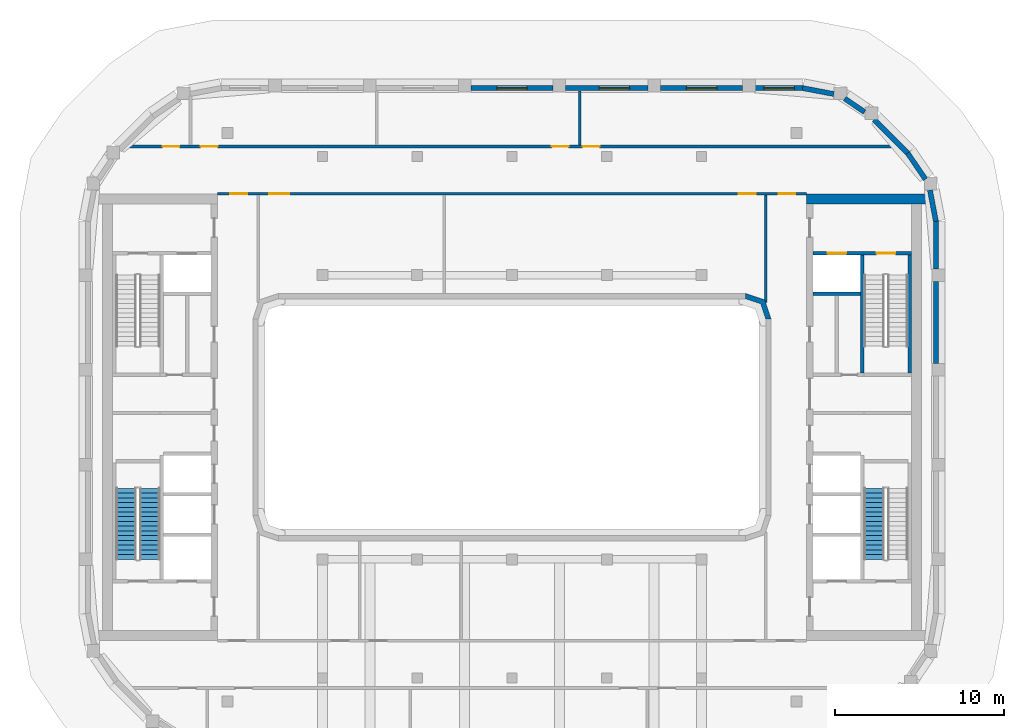
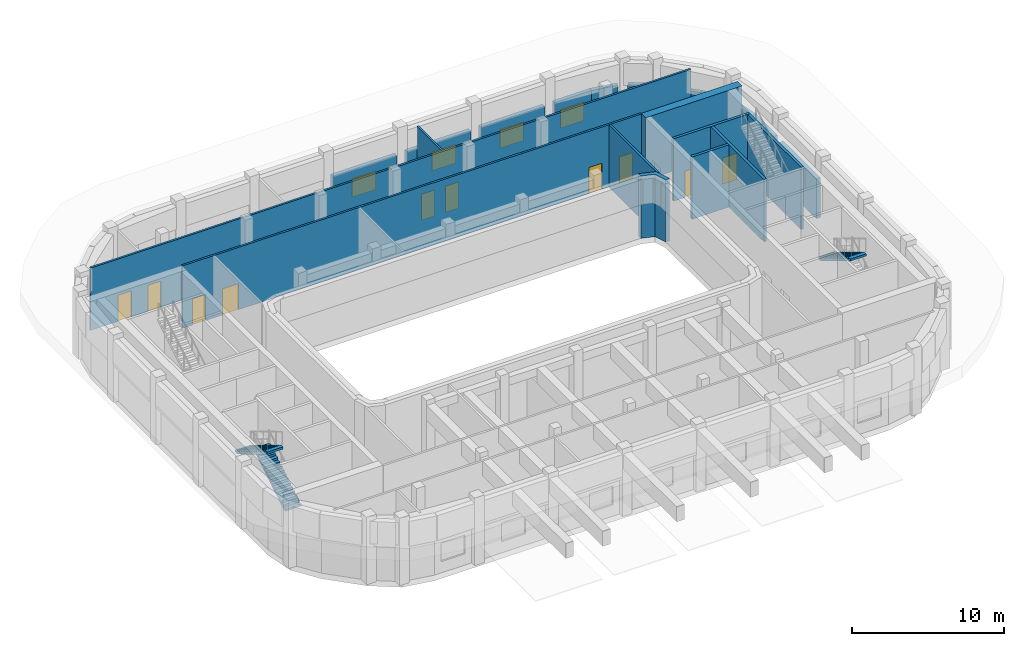
# One storey, part 9 of 17: 21 walls, 10 doors, 4 windows, 3 stair flights, 14 openings, 2 elements without a shape of their own.
"""IFC4 building model written with IfcOpenShell, lengths in metres."""

from ifc_helpers import new_model, si_unit, direction, frame, frame_2d, origin, place, context, subcontext, project, spatial, polyline, rectangle, outline, extrude, material, layer, layer_set, type_object, element, fill, aggregate, save


model = new_model("IFC4")

# Units and contexts
model_context = context("Model", 3, precision=1e-05, world=origin(), true_north=direction((0.0, 1.0)))
body_context = subcontext(model_context, "Body", "Model", "MODEL_VIEW")
ifc_project = project(units=[si_unit("LENGTHUNIT", "METRE"), si_unit("AREAUNIT", "SQUARE_METRE"), si_unit("VOLUMEUNIT", "CUBIC_METRE"), si_unit("PLANEANGLEUNIT", "RADIAN"), si_unit("MASSUNIT", "GRAM", prefix="KILO")], contexts=[model_context])

# Site, building, storey
site_placement = place(None, origin())
site = spatial("IfcSite", under=ifc_project, at=site_placement, CompositionType="ELEMENT")
building_placement = place(site_placement, origin())
building = spatial("IfcBuilding", under=site, at=building_placement, Name="Kiln Ring Residences", CompositionType="ELEMENT")
storey_placement = place(building_placement, frame((0.0, 0.0, 289.10009765625)))
storey = spatial("IfcBuildingStorey", under=building, at=storey_placement, Name="L75", CompositionType="ELEMENT", Elevation=289.10009765625)

# Walls
ifc_material_1 = material(Name="Gypsum shaft wall system")
ifc_layer_1 = layer(ifc_material_1, 0.199951171875)
ifc_layer_set_1 = layer_set([ifc_layer_1], Name="CORE-SHAFT-WALL-200")
wall_type_1 = type_object("IfcWallType", Name="CORE-SHAFT-WALL-200", PredefinedType="PARTITIONING", material=ifc_layer_set_1)
wall_1_placement = place(storey_placement, frame((17.800048828125, 7.300048828125, 0.0), z_axis=(0.0, 0.0, 1.0), x_axis=(1.0, 0.0, 0.0)))
element("IfcWall", 1, at=wall_1_placement, inside=storey, type_object=wall_type_1, Name="Core partition east L75 8", PredefinedType="PARTITIONING", context=body_context, shape_type="SweptSolid", body=[
    extrude(rectangle(XDim=2.800048828125, YDim=0.199951171875, at=frame_2d((1.39990234375, 0.0))), origin(), (0.0, 0.0, 1.0), 5.0),
])
ifc_material_2 = material(Name="Concrete C40/50", Category="concrete")
ifc_layer_2 = layer(ifc_material_2, 0.199951171875)
ifc_layer_set_2 = layer_set([ifc_layer_2], Name="CORE-WALL-RC200")
wall_type_2 = type_object("IfcWallType", Name="CORE-WALL-RC200", PredefinedType="SHEAR", material=ifc_layer_set_2)
wall_2_placement = place(storey_placement, frame((20.699951171875, 2.60009765625, 0.0), z_axis=(0.0, 0.0, 1.0), x_axis=(0.0, 1.0, 0.0)))
element("IfcWall", 2, at=wall_2_placement, inside=storey, type_object=wall_type_2, Name="Core wall east L75 1", PredefinedType="SHEAR", context=body_context, shape_type="SweptSolid", body=[
    extrude(rectangle(XDim=7.0, YDim=0.199951171875, at=frame_2d((3.5, 0.0))), origin(), (0.0, 0.0, 1.0), 5.0),
])

# Wall, openings, doors
wall_3_placement = place(storey_placement, frame((17.800048828125, 9.699951171875, 0.0), z_axis=(0.0, 0.0, 1.0), x_axis=(1.0, 0.0, 0.0)))
wall_3 = element("IfcWall", 3, at=wall_3_placement, inside=storey, type_object=wall_type_2, Name="Core wall east L75 9", PredefinedType="SHEAR", context=body_context, shape_type="SweptSolid", body=[
    extrude(rectangle(XDim=5.800048828125, YDim=0.199951171875, at=frame_2d((2.89990234375, 0.0))), origin(), (0.0, 0.0, 1.0), 5.0),
])
opening_1_placement = place(wall_3_placement, frame((0.85009765625, 0.0, 0.0)))
opening_1 = element("IfcOpeningElement", 4, at=opening_1_placement, cuts=wall_3, Name="Opening L75-CE07", PredefinedType="OPENING", context=body_context, shape_type="SweptSolid", body=[
    extrude(rectangle(XDim=1.10009765625, YDim=2.10009765625, at=frame_2d((0.550048828125, 1.050048828125))), frame((0.0, 0.10986328125, 0.0), z_axis=(0.0, -1.0, 0.0), x_axis=(1.0, 0.0, 0.0)), (0.0, 0.0, 1.0), 0.219970703125),
])
opening_2_placement = place(wall_3_placement, frame((3.75, 0.0, 0.0)))
opening_2 = element("IfcOpeningElement", 5, at=opening_2_placement, cuts=wall_3, Name="Opening L75-CE10", PredefinedType="OPENING", context=body_context, shape_type="SweptSolid", body=[
    extrude(rectangle(XDim=1.10009765625, YDim=2.10009765625, at=frame_2d((0.550048828125, 1.050048828125))), frame((0.0, 0.10986328125, 0.0), z_axis=(0.0, -1.0, 0.0), x_axis=(1.0, 0.0, 0.0)), (0.0, 0.0, 1.0), 0.219970703125),
])
ifc_material_3 = material(Name="Steel door leaf", Category="steel")
door_type_1 = type_object("IfcDoorType", Name="CORE-DOOR-LD", OperationType="DOUBLE_DOOR_SLIDING", PredefinedType="DOOR", material=ifc_material_3)
door_1_placement = place(opening_1_placement, origin())
door_1 = element("IfcDoor", 6, at=door_1_placement, inside=storey, type_object=door_type_1, Name="LD E-FF L75-CE07", OperationType="DOUBLE_DOOR_SLIDING", OverallHeight=2.10009765625, OverallWidth=1.10009765625, PredefinedType="DOOR", context=body_context, shape_type="SweptSolid", body=[
    extrude(rectangle(XDim=1.10009765625, YDim=2.10009765625, at=frame_2d((0.550048828125, 1.050048828125))), frame((0.0, 0.02490234375, 0.0), z_axis=(0.0, -1.0, 0.0), x_axis=(1.0, 0.0, 0.0)), (0.0, 0.0, 1.0), 0.050048828125),
])
fill(opening_1, door_1)
ifc_material_4 = material(Name="Steel door leaf", Category="steel")
door_type_2 = type_object("IfcDoorType", Name="CORE-DOOR-STAIR", OperationType="SINGLE_SWING_LEFT", PredefinedType="DOOR", material=ifc_material_4)
door_2_placement = place(opening_2_placement, origin())
door_2 = element("IfcDoor", 7, at=door_2_placement, inside=storey, type_object=door_type_2, Name="Stair E-STN L75-CE10", OperationType="SINGLE_SWING_LEFT", OverallHeight=2.10009765625, OverallWidth=1.10009765625, PredefinedType="DOOR", context=body_context, shape_type="SweptSolid", body=[
    extrude(rectangle(XDim=1.10009765625, YDim=2.10009765625, at=frame_2d((0.550048828125, 1.050048828125))), frame((0.0, 0.02490234375, 0.0), z_axis=(0.0, -1.0, 0.0), x_axis=(1.0, 0.0, 0.0)), (0.0, 0.0, 1.0), 0.050048828125),
])
fill(opening_2, door_2)

# Walls
wall_4_placement = place(storey_placement, frame((23.5, 2.60009765625, 0.0), z_axis=(0.0, 0.0, 1.0), x_axis=(0.0, 1.0, 0.0)))
element("IfcWall", 8, at=wall_4_placement, inside=storey, type_object=wall_type_2, Name="Core wall east L75 10", PredefinedType="SHEAR", context=body_context, shape_type="SweptSolid", body=[
    extrude(rectangle(XDim=7.0, YDim=0.199951171875, at=frame_2d((3.5, 0.0))), origin(), (0.0, 0.0, 1.0), 5.0),
])
ifc_material_5 = material(Name="Concrete C60/75", Category="concrete")
ifc_layer_3 = layer(ifc_material_5, 0.60009765625)
ifc_layer_set_3 = layer_set([ifc_layer_3], Name="CORE-WALL-RC600")
wall_type_3 = type_object("IfcWallType", Name="CORE-WALL-RC600", PredefinedType="SHEAR", material=ifc_layer_set_3)
wall_5_placement = place(storey_placement, frame((17.39990234375, 12.89990234375, 0.0), z_axis=(0.0, 0.0, 1.0), x_axis=(1.0, 0.0, 0.0)))
element("IfcWall", 9, at=wall_5_placement, inside=storey, type_object=wall_type_3, Name="Core wall east L75 4", PredefinedType="SHEAR", context=body_context, shape_type="SweptSolid", body=[
    extrude(rectangle(XDim=7.320068359375, YDim=0.60009765625, at=frame_2d((3.66015625, 0.0))), origin(), (0.0, 0.0, 1.0), 5.0),
])
ifc_material_6 = material(Name="Brick masonry, dark clay brick", Category="masonry")
ifc_layer_4 = layer(ifc_material_6, 0.300048828125)
ifc_layer_set_4 = layer_set([ifc_layer_4], Name="EW-300 BRICK WALL")
wall_type_4 = type_object("IfcWallType", Name="EW-300 BRICK WALL", PredefinedType="SOLIDWALL", material=ifc_layer_set_4)
wall_6_placement = place(storey_placement, frame((25.050048828125, 3.175048828125, 0.0), z_axis=(0.0, 0.0, 1.0), x_axis=(0.0, 1.0, 0.0)))
element("IfcWall", 10, at=wall_6_placement, inside=storey, type_object=wall_type_4, Name="Facade wall L75 19", PredefinedType="SOLIDWALL", context=body_context, shape_type="SweptSolid", body=[
    extrude(rectangle(XDim=4.849853515625, YDim=0.300048828125, at=frame_2d((2.4248046875, 0.0))), origin(), (0.0, 0.0, 1.0), 3.199951171875),
])
wall_7_placement = place(storey_placement, frame((25.050048828125, 8.77490234375, 0.0), z_axis=(0.0, 0.0, 1.0), x_axis=(0.0, 1.0, 0.0)))
element("IfcWall", 11, at=wall_7_placement, inside=storey, type_object=wall_type_4, Name="Facade wall L75 20", PredefinedType="SOLIDWALL", context=body_context, shape_type="SweptSolid", body=[
    extrude(rectangle(XDim=2.8251953125, YDim=0.300048828125, at=frame_2d((1.41259765625, 0.0))), origin(), (0.0, 0.0, 1.0), 3.199951171875),
])
wall_8_placement = place(storey_placement, frame((25.052734375, 11.57177734375, 0.0), z_axis=(0.0, 0.0, 1.0), x_axis=(-0.187398348234, 0.982284001233, 0.0)))
element("IfcWall", 12, at=wall_8_placement, inside=storey, type_object=wall_type_4, Name="Facade wall L75 21", PredefinedType="SOLIDWALL", context=body_context, shape_type="SweptSolid", body=[
    extrude(rectangle(XDim=1.88134765625, YDim=0.300048828125, at=frame_2d((0.940673828125, 0.0))), origin(), (0.0, 0.0, 1.0), 3.199951171875),
])
wall_9_placement = place(storey_placement, frame((24.436279296875, 14.056884765625, 0.0), z_axis=(0.0, 0.0, 1.0), x_axis=(-0.562075713892, 0.827085782645, 0.0)))
element("IfcWall", 13, at=wall_9_placement, inside=storey, type_object=wall_type_4, Name="Facade wall L75 22", PredefinedType="SOLIDWALL", context=body_context, shape_type="SweptSolid", body=[
    extrude(rectangle(XDim=1.881103515625, YDim=0.300048828125, at=frame_2d((0.9404296875, 0.0))), origin(), (0.0, 0.0, 1.0), 3.199951171875),
])
wall_10_placement = place(storey_placement, frame((23.39697265625, 15.591064453125, 0.0), z_axis=(0.0, 0.0, 1.0), x_axis=(-0.707106781187, 0.707106781187, 0.0)))
element("IfcWall", 14, at=wall_10_placement, inside=storey, type_object=wall_type_4, Name="Facade wall L75 23", PredefinedType="SOLIDWALL", context=body_context, shape_type="SweptSolid", body=[
    extrude(rectangle(XDim=2.824951171875, YDim=0.300048828125, at=frame_2d((1.41259765625, 0.0))), origin(), (0.0, 0.0, 1.0), 3.199951171875),
])
wall_11_placement = place(storey_placement, frame((20.837158203125, 18.0341796875, 0.0), z_axis=(0.0, 0.0, 1.0), x_axis=(-0.827095130818, 0.562061957952, 0.0)))
element("IfcWall", 15, at=wall_11_placement, inside=storey, type_object=wall_type_4, Name="Facade wall L75 24", PredefinedType="SOLIDWALL", context=body_context, shape_type="SweptSolid", body=[
    extrude(rectangle(XDim=1.427001953125, YDim=0.300048828125, at=frame_2d((0.71337890625, 0.0))), origin(), (0.0, 0.0, 1.0), 3.199951171875),
])
wall_12_placement = place(storey_placement, frame((19.019775390625, 19.10009765625, 0.0), z_axis=(0.0, 0.0, 1.0), x_axis=(-0.982284001233, 0.187398348234, 0.0)))
element("IfcWall", 16, at=wall_12_placement, inside=storey, type_object=wall_type_4, Name="Facade wall L75 25", PredefinedType="SOLIDWALL", context=body_context, shape_type="SweptSolid", body=[
    extrude(rectangle(XDim=1.88134765625, YDim=0.300048828125, at=frame_2d((0.940673828125, 0.0))), origin(), (0.0, 0.0, 1.0), 3.199951171875),
])

# Wall, opening, window
wall_13_placement = place(storey_placement, frame((17.199951171875, 19.449951171875, 0.0), z_axis=(0.0, 0.0, 1.0), x_axis=(-1.0, 0.0, 0.0)))
wall_13 = element("IfcWall", 17, at=wall_13_placement, inside=storey, type_object=wall_type_4, Name="Facade wall L75 26", PredefinedType="SOLIDWALL", context=body_context, shape_type="SweptSolid", body=[
    extrude(rectangle(XDim=2.824951171875, YDim=0.300048828125, at=frame_2d((1.41259765625, 0.0))), origin(), (0.0, 0.0, 1.0), 3.199951171875),
])
opening_3_placement = place(wall_13_placement, frame((0.512451171875, 0.0, 0.89990234375)))
opening_3 = element("IfcOpeningElement", 18, at=opening_3_placement, cuts=wall_13, Name="Opening LV1", PredefinedType="OPENING", context=body_context, shape_type="SweptSolid", body=[
    extrude(rectangle(XDim=1.800048828125, YDim=1.5, at=frame_2d((0.89990234375, 0.75))), frame((0.0, 0.159912109375, 0.0), z_axis=(0.0, -1.0, 0.0), x_axis=(1.0, 0.0, 0.0)), (0.0, 0.0, 1.0), 0.320068359375),
])
ifc_material_7 = material(Name="Aluminium louvre", Category="aluminium")
window_type = type_object("IfcWindowType", Name="LOUVRED VENT 1800 x 1500", PartitioningType="SINGLE_PANEL", PredefinedType="WINDOW", material=ifc_material_7)
window_1_placement = place(opening_3_placement, origin())
window_1 = element("IfcWindow", 19, at=window_1_placement, inside=storey, type_object=window_type, Name="Louvred vent L75 8", OverallHeight=1.5, OverallWidth=1.800048828125, PartitioningType="SINGLE_PANEL", PredefinedType="WINDOW", context=body_context, shape_type="SweptSolid", body=[
    extrude(rectangle(XDim=1.800048828125, YDim=1.5, at=frame_2d((0.89990234375, 0.75))), frame((0.0, 0.030029296875, 0.0), z_axis=(0.0, -1.0, 0.0), x_axis=(1.0, 0.0, 0.0)), (0.0, 0.0, 1.0), 0.06005859375),
])
fill(opening_3, window_1)

wall_14_placement = place(storey_placement, frame((13.625, 19.449951171875, 0.0), z_axis=(0.0, 0.0, 1.0), x_axis=(-1.0, 0.0, 0.0)))
wall_14 = element("IfcWall", 20, at=wall_14_placement, inside=storey, type_object=wall_type_4, Name="Facade wall L75 27", PredefinedType="SOLIDWALL", context=body_context, shape_type="SweptSolid", body=[
    extrude(rectangle(XDim=4.85009765625, YDim=0.300048828125, at=frame_2d((2.425048828125, 0.0))), origin(), (0.0, 0.0, 1.0), 3.199951171875),
])
opening_4_placement = place(wall_14_placement, frame((1.52490234375, 0.0, 0.89990234375)))
opening_4 = element("IfcOpeningElement", 21, at=opening_4_placement, cuts=wall_14, Name="Opening LV1", PredefinedType="OPENING", context=body_context, shape_type="SweptSolid", body=[
    extrude(rectangle(XDim=1.800048828125, YDim=1.5, at=frame_2d((0.89990234375, 0.75))), frame((0.0, 0.159912109375, 0.0), z_axis=(0.0, -1.0, 0.0), x_axis=(1.0, 0.0, 0.0)), (0.0, 0.0, 1.0), 0.320068359375),
])
window_2_placement = place(opening_4_placement, origin())
window_2 = element("IfcWindow", 22, at=window_2_placement, inside=storey, type_object=window_type, Name="Louvred vent L75 9", OverallHeight=1.5, OverallWidth=1.800048828125, PartitioningType="SINGLE_PANEL", PredefinedType="WINDOW", context=body_context, shape_type="SweptSolid", body=[
    extrude(rectangle(XDim=1.800048828125, YDim=1.5, at=frame_2d((0.89990234375, 0.75))), frame((0.0, 0.030029296875, 0.0), z_axis=(0.0, -1.0, 0.0), x_axis=(1.0, 0.0, 0.0)), (0.0, 0.0, 1.0), 0.06005859375),
])
fill(opening_4, window_2)

wall_15_placement = place(storey_placement, frame((8.02490234375, 19.449951171875, 0.0), z_axis=(0.0, 0.0, 1.0), x_axis=(-1.0, 0.0, 0.0)))
wall_15 = element("IfcWall", 23, at=wall_15_placement, inside=storey, type_object=wall_type_4, Name="Facade wall L75 28", PredefinedType="SOLIDWALL", context=body_context, shape_type="SweptSolid", body=[
    extrude(rectangle(XDim=4.849853515625, YDim=0.300048828125, at=frame_2d((2.4248046875, 0.0))), origin(), (0.0, 0.0, 1.0), 3.199951171875),
])
opening_5_placement = place(wall_15_placement, frame((1.074951171875, 0.0, 0.89990234375)))
opening_5 = element("IfcOpeningElement", 24, at=opening_5_placement, cuts=wall_15, Name="Opening LV1", PredefinedType="OPENING", context=body_context, shape_type="SweptSolid", body=[
    extrude(rectangle(XDim=1.800048828125, YDim=1.5, at=frame_2d((0.89990234375, 0.75))), frame((0.0, 0.159912109375, 0.0), z_axis=(0.0, -1.0, 0.0), x_axis=(1.0, 0.0, 0.0)), (0.0, 0.0, 1.0), 0.320068359375),
])
window_3_placement = place(opening_5_placement, origin())
window_3 = element("IfcWindow", 25, at=window_3_placement, inside=storey, type_object=window_type, Name="Louvred vent L75 10", OverallHeight=1.5, OverallWidth=1.800048828125, PartitioningType="SINGLE_PANEL", PredefinedType="WINDOW", context=body_context, shape_type="SweptSolid", body=[
    extrude(rectangle(XDim=1.800048828125, YDim=1.5, at=frame_2d((0.89990234375, 0.75))), frame((0.0, 0.030029296875, 0.0), z_axis=(0.0, -1.0, 0.0), x_axis=(1.0, 0.0, 0.0)), (0.0, 0.0, 1.0), 0.06005859375),
])
fill(opening_5, window_3)

wall_16_placement = place(storey_placement, frame((2.425048828125, 19.449951171875, 0.0), z_axis=(0.0, 0.0, 1.0), x_axis=(-1.0, 0.0, 0.0)))
wall_16 = element("IfcWall", 26, at=wall_16_placement, inside=storey, type_object=wall_type_4, Name="Facade wall L75 29", PredefinedType="SOLIDWALL", context=body_context, shape_type="SweptSolid", body=[
    extrude(rectangle(XDim=4.85009765625, YDim=0.300048828125, at=frame_2d((2.425048828125, 0.0))), origin(), (0.0, 0.0, 1.0), 3.199951171875),
])
opening_6_placement = place(wall_16_placement, frame((1.52490234375, 0.0, 0.89990234375)))
opening_6 = element("IfcOpeningElement", 27, at=opening_6_placement, cuts=wall_16, Name="Opening LV1", PredefinedType="OPENING", context=body_context, shape_type="SweptSolid", body=[
    extrude(rectangle(XDim=1.800048828125, YDim=1.5, at=frame_2d((0.89990234375, 0.75))), frame((0.0, 0.159912109375, 0.0), z_axis=(0.0, -1.0, 0.0), x_axis=(1.0, 0.0, 0.0)), (0.0, 0.0, 1.0), 0.320068359375),
])
window_4_placement = place(opening_6_placement, origin())
window_4 = element("IfcWindow", 28, at=window_4_placement, inside=storey, type_object=window_type, Name="Louvred vent L75 11", OverallHeight=1.5, OverallWidth=1.800048828125, PartitioningType="SINGLE_PANEL", PredefinedType="WINDOW", context=body_context, shape_type="SweptSolid", body=[
    extrude(rectangle(XDim=1.800048828125, YDim=1.5, at=frame_2d((0.89990234375, 0.75))), frame((0.0, 0.030029296875, 0.0), z_axis=(0.0, -1.0, 0.0), x_axis=(1.0, 0.0, 0.0)), (0.0, 0.0, 1.0), 0.06005859375),
])
fill(opening_6, window_4)

# Wall
placement = place(storey_placement, origin())
element("IfcWall", 29, at=placement, inside=storey, type_object=wall_type_4, Name="Corner wall L75 2", PredefinedType="SOLIDWALL", context=body_context, shape_type="SweptSolid", body=[
    extrude(outline(polyline([(14.937255859375, 6.937255859375), (13.8486328125, 7.300048828125), (13.800048828125, 7.300048828125), (13.800048828125, 7.0), (14.699951171875, 6.699951171875), (15.0, 5.800048828125), (15.300048828125, 5.800048828125), (15.300048828125, 5.8486328125), (14.937255859375, 6.937255859375)])), origin(), (0.0, 0.0, 1.0), 5.0),
])

# Wall, openings, doors
ifc_material_8 = material(Name="Brick masonry partition", Category="masonry")
ifc_layer_5 = layer(ifc_material_8, 0.14990234375)
ifc_layer_set_5 = layer_set([ifc_layer_5], Name="PARTITION-150-ei60")
wall_type_5 = type_object("IfcWallType", Name="PARTITION-150-ei60", PredefinedType="PARTITIONING", material=ifc_layer_set_5)
wall_18_placement = place(storey_placement, frame((-17.39990234375, 13.199951171875, 0.0), z_axis=(0.0, 0.0, 1.0), x_axis=(1.0, 0.0, 0.0)))
wall_18 = element("IfcWall", 30, at=wall_18_placement, inside=storey, type_object=wall_type_5, Name="Partition 002", PredefinedType="PARTITIONING", context=body_context, shape_type="SweptSolid", body=[
    extrude(rectangle(XDim=34.7998046875, YDim=0.14990234375, at=frame_2d((17.39990234375, 0.0))), origin(), (0.0, 0.0, 1.0), 5.0),
])
opening_7_placement = place(wall_18_placement, frame((0.75, 0.0, 0.0)))
opening_7 = element("IfcOpeningElement", 31, at=opening_7_placement, cuts=wall_18, Name="Opening L75-D001", PredefinedType="OPENING", context=body_context, shape_type="SweptSolid", body=[
    extrude(rectangle(XDim=1.0, YDim=2.10009765625, at=frame_2d((0.5, 1.050048828125))), frame((0.0, 0.0849609375, 0.0), z_axis=(0.0, -1.0, 0.0), x_axis=(1.0, 0.0, 0.0)), (0.0, 0.0, 1.0), 0.169921875),
])
opening_8_placement = place(wall_18_placement, frame((33.14990234375, 0.0, 0.0)))
opening_8 = element("IfcOpeningElement", 32, at=opening_8_placement, cuts=wall_18, Name="Opening L75-D002", PredefinedType="OPENING", context=body_context, shape_type="SweptSolid", body=[
    extrude(rectangle(XDim=1.0, YDim=2.10009765625, at=frame_2d((0.5, 1.050048828125))), frame((0.0, 0.0849609375, 0.0), z_axis=(0.0, -1.0, 0.0), x_axis=(1.0, 0.0, 0.0)), (0.0, 0.0, 1.0), 0.169921875),
])
opening_9_placement = place(wall_18_placement, frame((3.050048828125, 0.0, 0.0)))
opening_9 = element("IfcOpeningElement", 33, at=opening_9_placement, cuts=wall_18, Name="Opening L75-D003", PredefinedType="OPENING", context=body_context, shape_type="SweptSolid", body=[
    extrude(rectangle(XDim=1.199951171875, YDim=2.10009765625, at=frame_2d((0.60009765625, 1.050048828125))), frame((0.0, 0.0849609375, 0.0), z_axis=(0.0, -1.0, 0.0), x_axis=(1.0, 0.0, 0.0)), (0.0, 0.0, 1.0), 0.169921875),
])
opening_10_placement = place(wall_18_placement, frame((30.800048828125, 0.0, 0.0)))
opening_10 = element("IfcOpeningElement", 34, at=opening_10_placement, cuts=wall_18, Name="Opening L75-D004", PredefinedType="OPENING", context=body_context, shape_type="SweptSolid", body=[
    extrude(rectangle(XDim=1.0, YDim=2.10009765625, at=frame_2d((0.5, 1.050048828125))), frame((0.0, 0.0849609375, 0.0), z_axis=(0.0, -1.0, 0.0), x_axis=(1.0, 0.0, 0.0)), (0.0, 0.0, 1.0), 0.169921875),
])
ifc_material_9 = material(Name="Steel faced fire door leaf", Category="steel")
door_type_3 = type_object("IfcDoorType", Name="FLAT-DOOR-1000-FR", OperationType="SINGLE_SWING_LEFT", PredefinedType="DOOR", material=ifc_material_9)
door_3_placement = place(opening_7_placement, origin())
door_3 = element("IfcDoor", 35, at=door_3_placement, inside=storey, type_object=door_type_3, Name="Door L75-D001", OperationType="SINGLE_SWING_RIGHT", OverallHeight=2.10009765625, OverallWidth=1.0, PredefinedType="DOOR", context=body_context, shape_type="SweptSolid", body=[
    extrude(rectangle(XDim=1.0, YDim=2.10009765625, at=frame_2d((0.5, 1.050048828125))), frame((0.0, 0.02490234375, 0.0), z_axis=(0.0, -1.0, 0.0), x_axis=(1.0, 0.0, 0.0)), (0.0, 0.0, 1.0), 0.050048828125),
])
fill(opening_7, door_3)
door_4_placement = place(opening_8_placement, origin())
door_4 = element("IfcDoor", 36, at=door_4_placement, inside=storey, type_object=door_type_3, Name="Door L75-D002", OperationType="SINGLE_SWING_LEFT", OverallHeight=2.10009765625, OverallWidth=1.0, PredefinedType="DOOR", context=body_context, shape_type="SweptSolid", body=[
    extrude(rectangle(XDim=1.0, YDim=2.10009765625, at=frame_2d((0.5, 1.050048828125))), frame((0.0, 0.02490234375, 0.0), z_axis=(0.0, -1.0, 0.0), x_axis=(1.0, 0.0, 0.0)), (0.0, 0.0, 1.0), 0.050048828125),
])
fill(opening_8, door_4)
door_5_placement = place(opening_10_placement, origin())
door_5 = element("IfcDoor", 37, at=door_5_placement, inside=storey, type_object=door_type_3, Name="Door L75-D004", OperationType="SINGLE_SWING_RIGHT", OverallHeight=2.10009765625, OverallWidth=1.0, PredefinedType="DOOR", context=body_context, shape_type="SweptSolid", body=[
    extrude(rectangle(XDim=1.0, YDim=2.10009765625, at=frame_2d((0.5, 1.050048828125))), frame((0.0, 0.02490234375, 0.0), z_axis=(0.0, -1.0, 0.0), x_axis=(1.0, 0.0, 0.0)), (0.0, 0.0, 1.0), 0.050048828125),
])
fill(opening_10, door_5)
ifc_material_10 = material(Name="Steel faced fire door leaf", Category="steel")
door_type_4 = type_object("IfcDoorType", Name="FLAT-DOOR-1200-FR", OperationType="SINGLE_SWING_LEFT", PredefinedType="DOOR", material=ifc_material_10)
door_6_placement = place(opening_9_placement, origin())
door_6 = element("IfcDoor", 38, at=door_6_placement, inside=storey, type_object=door_type_4, Name="Door L75-D003", OperationType="SINGLE_SWING_LEFT", OverallHeight=2.10009765625, OverallWidth=1.199951171875, PredefinedType="DOOR", context=body_context, shape_type="SweptSolid", body=[
    extrude(rectangle(XDim=1.199951171875, YDim=2.10009765625, at=frame_2d((0.60009765625, 1.050048828125))), frame((0.0, 0.02490234375, 0.0), z_axis=(0.0, -1.0, 0.0), x_axis=(1.0, 0.0, 0.0)), (0.0, 0.0, 1.0), 0.050048828125),
])
fill(opening_9, door_6)

wall_19_placement = place(storey_placement, frame((-22.755615234375, 16.0, 0.0), z_axis=(0.0, 0.0, 1.0), x_axis=(1.0, 0.0, 0.0)))
wall_19 = element("IfcWall", 39, at=wall_19_placement, inside=storey, type_object=wall_type_5, Name="Partition 003", PredefinedType="PARTITIONING", context=body_context, shape_type="SweptSolid", body=[
    extrude(rectangle(XDim=45.51123046875, YDim=0.14990234375, at=frame_2d((22.755615234375, 0.0))), origin(), (0.0, 0.0, 1.0), 5.0),
])
opening_11_placement = place(wall_19_placement, frame((2.105712890625, 0.0, 0.0)))
opening_11 = element("IfcOpeningElement", 40, at=opening_11_placement, cuts=wall_19, Name="Opening L75-D005", PredefinedType="OPENING", context=body_context, shape_type="SweptSolid", body=[
    extrude(rectangle(XDim=1.0, YDim=2.10009765625, at=frame_2d((0.5, 1.050048828125))), frame((0.0, 0.0849609375, 0.0), z_axis=(0.0, -1.0, 0.0), x_axis=(1.0, 0.0, 0.0)), (0.0, 0.0, 1.0), 0.169921875),
])
opening_12_placement = place(wall_19_placement, frame((4.355712890625, 0.0, 0.0)))
opening_12 = element("IfcOpeningElement", 41, at=opening_12_placement, cuts=wall_19, Name="Opening L75-D006", PredefinedType="OPENING", context=body_context, shape_type="SweptSolid", body=[
    extrude(rectangle(XDim=1.0, YDim=2.10009765625, at=frame_2d((0.5, 1.050048828125))), frame((0.0, 0.0849609375, 0.0), z_axis=(0.0, -1.0, 0.0), x_axis=(1.0, 0.0, 0.0)), (0.0, 0.0, 1.0), 0.169921875),
])
opening_13_placement = place(wall_19_placement, frame((25.105712890625, 0.0, 0.0)))
opening_13 = element("IfcOpeningElement", 42, at=opening_13_placement, cuts=wall_19, Name="Opening L75-D007", PredefinedType="OPENING", context=body_context, shape_type="SweptSolid", body=[
    extrude(rectangle(XDim=1.0, YDim=2.10009765625, at=frame_2d((0.5, 1.050048828125))), frame((0.0, 0.0849609375, 0.0), z_axis=(0.0, -1.0, 0.0), x_axis=(1.0, 0.0, 0.0)), (0.0, 0.0, 1.0), 0.169921875),
])
opening_14_placement = place(wall_19_placement, frame((26.9287109375, 0.0, 0.0)))
opening_14 = element("IfcOpeningElement", 43, at=opening_14_placement, cuts=wall_19, Name="Opening L75-D008", PredefinedType="OPENING", context=body_context, shape_type="SweptSolid", body=[
    extrude(rectangle(XDim=1.0, YDim=2.10009765625, at=frame_2d((0.5, 1.050048828125))), frame((0.0, 0.0849609375, 0.0), z_axis=(0.0, -1.0, 0.0), x_axis=(1.0, 0.0, 0.0)), (0.0, 0.0, 1.0), 0.169921875),
])
door_7_placement = place(opening_11_placement, origin())
door_7 = element("IfcDoor", 44, at=door_7_placement, inside=storey, type_object=door_type_3, Name="Door L75-D005", OperationType="SINGLE_SWING_LEFT", OverallHeight=2.10009765625, OverallWidth=1.0, PredefinedType="DOOR", context=body_context, shape_type="SweptSolid", body=[
    extrude(rectangle(XDim=1.0, YDim=2.10009765625, at=frame_2d((0.5, 1.050048828125))), frame((0.0, 0.02490234375, 0.0), z_axis=(0.0, -1.0, 0.0), x_axis=(1.0, 0.0, 0.0)), (0.0, 0.0, 1.0), 0.050048828125),
])
fill(opening_11, door_7)
door_8_placement = place(opening_12_placement, origin())
door_8 = element("IfcDoor", 45, at=door_8_placement, inside=storey, type_object=door_type_3, Name="Door L75-D006", OperationType="SINGLE_SWING_RIGHT", OverallHeight=2.10009765625, OverallWidth=1.0, PredefinedType="DOOR", context=body_context, shape_type="SweptSolid", body=[
    extrude(rectangle(XDim=1.0, YDim=2.10009765625, at=frame_2d((0.5, 1.050048828125))), frame((0.0, 0.02490234375, 0.0), z_axis=(0.0, -1.0, 0.0), x_axis=(1.0, 0.0, 0.0)), (0.0, 0.0, 1.0), 0.050048828125),
])
fill(opening_12, door_8)
door_9_placement = place(opening_13_placement, origin())
door_9 = element("IfcDoor", 46, at=door_9_placement, inside=storey, type_object=door_type_3, Name="Door L75-D007", OperationType="SINGLE_SWING_LEFT", OverallHeight=2.10009765625, OverallWidth=1.0, PredefinedType="DOOR", context=body_context, shape_type="SweptSolid", body=[
    extrude(rectangle(XDim=1.0, YDim=2.10009765625, at=frame_2d((0.5, 1.050048828125))), frame((0.0, 0.02490234375, 0.0), z_axis=(0.0, -1.0, 0.0), x_axis=(1.0, 0.0, 0.0)), (0.0, 0.0, 1.0), 0.050048828125),
])
fill(opening_13, door_9)
door_10_placement = place(opening_14_placement, origin())
door_10 = element("IfcDoor", 47, at=door_10_placement, inside=storey, type_object=door_type_3, Name="Door L75-D008", OperationType="SINGLE_SWING_RIGHT", OverallHeight=2.10009765625, OverallWidth=1.0, PredefinedType="DOOR", context=body_context, shape_type="SweptSolid", body=[
    extrude(rectangle(XDim=1.0, YDim=2.10009765625, at=frame_2d((0.5, 1.050048828125))), frame((0.0, 0.02490234375, 0.0), z_axis=(0.0, -1.0, 0.0), x_axis=(1.0, 0.0, 0.0)), (0.0, 0.0, 1.0), 0.050048828125),
])
fill(opening_14, door_10)

# Walls
wall_20_placement = place(storey_placement, frame((4.0, 16.074951171875, 0.0), z_axis=(0.0, 0.0, 1.0), x_axis=(0.0, 1.0, 0.0)))
element("IfcWall", 48, at=wall_20_placement, inside=storey, type_object=wall_type_5, Name="Partition 013", PredefinedType="PARTITIONING", context=body_context, shape_type="SweptSolid", body=[
    extrude(rectangle(XDim=3.205078125, YDim=0.14990234375, at=frame_2d((1.6025390625, 0.0))), origin(), (0.0, 0.0, 1.0), 5.0),
])
wall_21_placement = place(storey_placement, frame((15.0, 6.768798828125, 0.0), z_axis=(0.0, 0.0, 1.0), x_axis=(0.0, 1.0, 0.0)))
element("IfcWall", 49, at=wall_21_placement, inside=storey, type_object=wall_type_5, Name="Partition 016", PredefinedType="PARTITIONING", context=body_context, shape_type="SweptSolid", body=[
    extrude(rectangle(XDim=6.356201171875, YDim=0.14990234375, at=frame_2d((3.17822265625, 0.0))), origin(), (0.0, 0.0, 1.0), 5.0),
])

# Stair, stair flights
ifc_material_11 = material(Name="Concrete C40/50", Category="concrete")
stair_type = type_object("IfcStairType", Name="CORE-STAIR", PredefinedType="HALF_TURN_STAIR", material=ifc_material_11)
stair_1 = element("IfcStair", 50, at=placement, inside=storey, type_object=stair_type, Name="L75 stair W-STS", PredefinedType="HALF_TURN_STAIR")
ifc_material_12 = material(Name="Concrete C40/50", Category="concrete")
stair_flight_type = type_object("IfcStairFlightType", Name="CORE-STAIR-FLIGHT", PredefinedType="STRAIGHT", material=ifc_material_12)
stair_flight_1_placement = place(storey_placement, frame((-21.39990234375, -8.39990234375, 0.0), z_axis=(0.0, 0.0, 1.0), x_axis=(0.0, 1.0, 0.0)))
stair_flight_1 = element("IfcStairFlight", 51, at=stair_flight_1_placement, type_object=stair_flight_type, Name="W-STS flight 1", NumberOfRisers=16, NumberOfTreads=15, PredefinedType="STRAIGHT", RiserHeight=0.16875, TreadLength=0.28, context=body_context, shape_type="SweptSolid", body=[
    extrude(outline(polyline([(0.0, 0.0), (0.0, 0.168701171875), (0.280029296875, 0.168701171875), (0.280029296875, 0.33740234375), (0.56005859375, 0.33740234375), (0.56005859375, 0.50634765625), (0.840087890625, 0.50634765625), (0.840087890625, 0.675048828125), (1.1201171875, 0.675048828125), (1.1201171875, 0.84375), (1.39990234375, 0.84375), (1.39990234375, 1.012451171875), (1.679931640625, 1.012451171875), (1.679931640625, 1.18115234375), (1.9599609375, 1.18115234375), (1.9599609375, 1.35009765625), (2.239990234375, 1.35009765625), (2.239990234375, 1.518798828125), (2.52001953125, 1.518798828125), (2.52001953125, 1.6875), (2.800048828125, 1.6875), (2.800048828125, 1.856201171875), (3.080078125, 1.856201171875), (3.080078125, 2.02490234375), (3.360107421875, 2.02490234375), (3.360107421875, 2.19384765625), (3.639892578125, 2.19384765625), (3.639892578125, 2.362548828125), (3.919921875, 2.362548828125), (3.919921875, 2.53125), (4.199951171875, 2.53125), (4.199951171875, 2.699951171875), (4.199951171875, 2.356201171875), (0.29052734375, 0.0), (0.0, 0.0)])), frame((0.0, 0.60009765625, 0.0), z_axis=(0.0, -1.0, 0.0), x_axis=(1.0, 0.0, 0.0)), (0.0, 0.0, 1.0), 1.199951171875),
])
stair_flight_2_placement = place(storey_placement, frame((-22.800048828125, -4.199951171875, 2.699951171875), z_axis=(0.0, 0.0, 1.0), x_axis=(0.0, -1.0, 0.0)))
stair_flight_2 = element("IfcStairFlight", 52, at=stair_flight_2_placement, type_object=stair_flight_type, Name="W-STS flight 2", NumberOfRisers=16, NumberOfTreads=15, PredefinedType="STRAIGHT", RiserHeight=0.16875, TreadLength=0.28, context=body_context, shape_type="SweptSolid", body=[
    extrude(outline(polyline([(0.0, 0.0), (0.0, 0.168701171875), (0.280029296875, 0.168701171875), (0.280029296875, 0.33740234375), (0.56005859375, 0.33740234375), (0.56005859375, 0.50634765625), (0.840087890625, 0.50634765625), (0.840087890625, 0.675048828125), (1.1201171875, 0.675048828125), (1.1201171875, 0.84375), (1.39990234375, 0.84375), (1.39990234375, 1.012451171875), (1.679931640625, 1.012451171875), (1.679931640625, 1.18115234375), (1.9599609375, 1.18115234375), (1.9599609375, 1.35009765625), (2.239990234375, 1.35009765625), (2.239990234375, 1.518798828125), (2.52001953125, 1.518798828125), (2.52001953125, 1.6875), (2.800048828125, 1.6875), (2.800048828125, 1.856201171875), (3.080078125, 1.856201171875), (3.080078125, 2.02490234375), (3.360107421875, 2.02490234375), (3.360107421875, 2.19384765625), (3.639892578125, 2.19384765625), (3.639892578125, 2.362548828125), (3.919921875, 2.362548828125), (3.919921875, 2.53125), (4.199951171875, 2.53125), (4.199951171875, 2.699951171875), (4.199951171875, 2.356201171875), (0.29052734375, 0.0), (0.0, 0.0)])), frame((0.0, 0.60009765625, 0.0), z_axis=(0.0, -1.0, 0.0), x_axis=(1.0, 0.0, 0.0)), (0.0, 0.0, 1.0), 1.199951171875),
])
aggregate(stair_1, [stair_flight_1, stair_flight_2])

# Stair, stair flight
stair_2 = element("IfcStair", 53, at=placement, inside=storey, type_object=stair_type, Name="L75 stair E-STS", PredefinedType="HALF_TURN_STAIR")
stair_flight_3_placement = place(storey_placement, frame((21.39990234375, -4.199951171875, 2.699951171875), z_axis=(0.0, 0.0, 1.0), x_axis=(0.0, -1.0, 0.0)))
stair_flight_3 = element("IfcStairFlight", 54, at=stair_flight_3_placement, type_object=stair_flight_type, Name="E-STS flight 2", NumberOfRisers=16, NumberOfTreads=15, PredefinedType="STRAIGHT", RiserHeight=0.16875, TreadLength=0.28, context=body_context, shape_type="SweptSolid", body=[
    extrude(outline(polyline([(0.0, 0.0), (0.0, 0.168701171875), (0.280029296875, 0.168701171875), (0.280029296875, 0.33740234375), (0.56005859375, 0.33740234375), (0.56005859375, 0.50634765625), (0.840087890625, 0.50634765625), (0.840087890625, 0.675048828125), (1.1201171875, 0.675048828125), (1.1201171875, 0.84375), (1.39990234375, 0.84375), (1.39990234375, 1.012451171875), (1.679931640625, 1.012451171875), (1.679931640625, 1.18115234375), (1.9599609375, 1.18115234375), (1.9599609375, 1.35009765625), (2.239990234375, 1.35009765625), (2.239990234375, 1.518798828125), (2.52001953125, 1.518798828125), (2.52001953125, 1.6875), (2.800048828125, 1.6875), (2.800048828125, 1.856201171875), (3.080078125, 1.856201171875), (3.080078125, 2.02490234375), (3.360107421875, 2.02490234375), (3.360107421875, 2.19384765625), (3.639892578125, 2.19384765625), (3.639892578125, 2.362548828125), (3.919921875, 2.362548828125), (3.919921875, 2.53125), (4.199951171875, 2.53125), (4.199951171875, 2.699951171875), (4.199951171875, 2.356201171875), (0.29052734375, 0.0), (0.0, 0.0)])), frame((0.0, 0.60009765625, 0.0), z_axis=(0.0, -1.0, 0.0), x_axis=(1.0, 0.0, 0.0)), (0.0, 0.0, 1.0), 1.199951171875),
])
aggregate(stair_2, [stair_flight_3])

save(model, "model.ifc")
